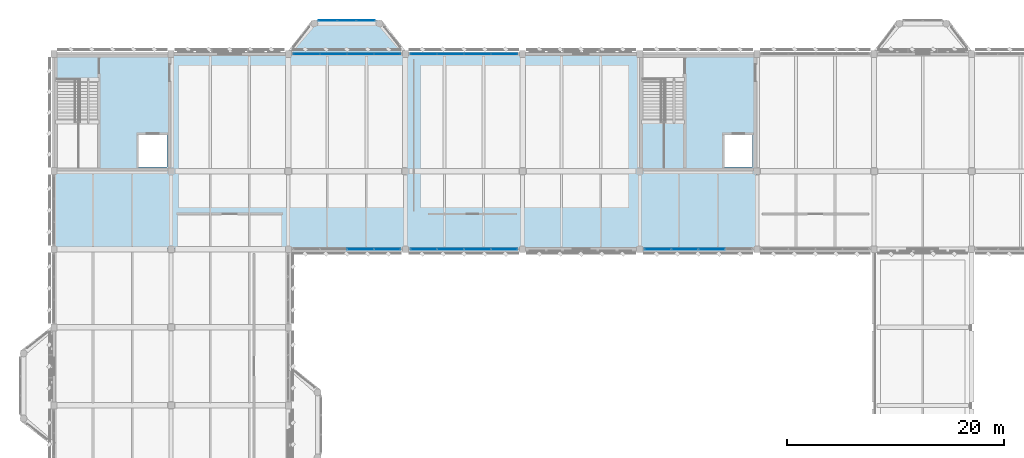
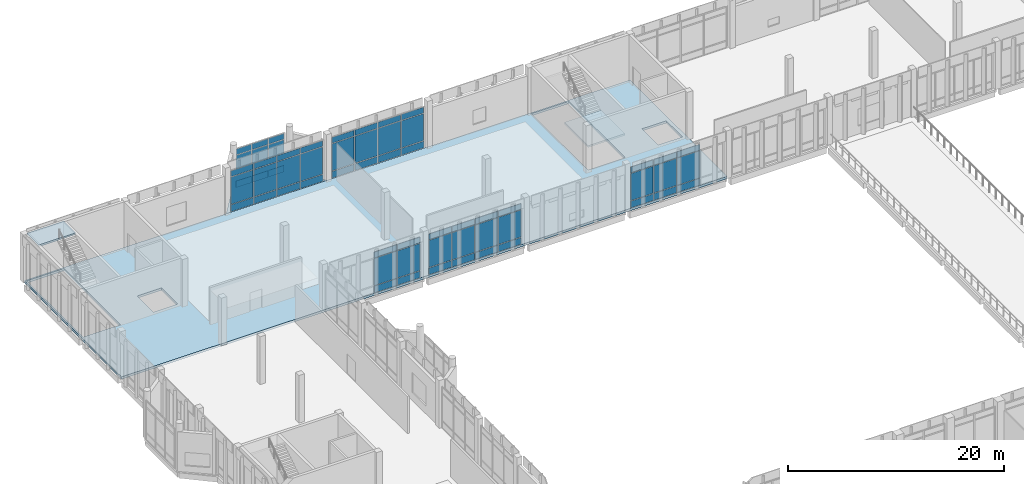
# One storey, part 145 of 180: 60 plates, 4 slabs, 8 elements without a shape of their own.
"""IFC4 building model written with IfcOpenShell, lengths in metres."""

from ifc_helpers import new_model, si_unit, direction, frame, origin, origin_2d, place, context, subcontext, project, spatial, polyline, rectangle, outline, extrude, material, layer, layer_set, type_object, element, aggregate, save


model = new_model("IFC4")

# Units and contexts
model_context = context("Model", 3, precision=1e-05, world=origin(), true_north=direction((0.0, 1.0)))
body_context = subcontext(model_context, "Body", "Model", "MODEL_VIEW")
ifc_project = project(units=[si_unit("LENGTHUNIT", "METRE"), si_unit("AREAUNIT", "SQUARE_METRE"), si_unit("VOLUMEUNIT", "CUBIC_METRE"), si_unit("PLANEANGLEUNIT", "RADIAN"), si_unit("MASSUNIT", "GRAM", prefix="KILO")], contexts=[model_context])

# Site, building, storey
site_placement = place(None, origin())
site = spatial("IfcSite", under=ifc_project, at=site_placement, CompositionType="ELEMENT")
building_placement = place(site_placement, origin())
building = spatial("IfcBuilding", under=site, at=building_placement, Name="Lusvemor Sports Hall", CompositionType="ELEMENT")
storey_placement = place(building_placement, frame((0.0, 0.0, 5.39990234375)))
storey = spatial("IfcBuildingStorey", under=building, at=storey_placement, Name="L01", CompositionType="ELEMENT", Elevation=5.39990234375)

# Curtain wall, plates
ifc_material_1 = material(Name="Thermally broken bronze-anodized aluminium", Category="aluminium")
curtain_wall_type_1 = type_object("IfcCurtainWallType", Name="CW_WING_B", PredefinedType="NOTDEFINED", material=ifc_material_1)
curtain_wall_1_placement = place(storey_placement, origin())
curtain_wall_1 = element("IfcCurtainWall", 1, at=curtain_wall_1_placement, inside=storey, type_object=curtain_wall_type_1, Name="Curtain Wall CW-L01-N-1-2", PredefinedType="NOTDEFINED")
ifc_material_2 = material(Name="Solar-control laminated double glazing", Category="glass")
ifc_layer_1 = layer(ifc_material_2, 0.028076171875)
ifc_layer_set_1 = layer_set([ifc_layer_1], Name="Solar-control laminated double glazing")
plate_type_1 = type_object("IfcPlateType", Name="CW_PAN_GLZ_28", PredefinedType="CURTAIN_PANEL", material=ifc_layer_set_1)
plate_1_placement = place(storey_placement, frame((23.28125, 115.199951171875, 0.880126953125), z_axis=(0.0, 0.0, 1.0), x_axis=(1.0, 0.0, 0.0)))
plate_1 = element("IfcPlate", 2, at=plate_1_placement, type_object=plate_type_1, Name="CW02 panel 1.2", PredefinedType="CURTAIN_PANEL", context=body_context, shape_type="SweptSolid", body=[
    extrude(rectangle(XDim=2.392578125, YDim=0.028076171875, at=origin_2d()), origin(), (0.0, 0.0, 1.0), 3.06005859375),
])
plate_2_placement = place(storey_placement, frame((23.28125, 115.199951171875, 4.0), z_axis=(0.0, 0.0, 1.0), x_axis=(1.0, 0.0, 0.0)))
plate_2 = element("IfcPlate", 3, at=plate_2_placement, type_object=plate_type_1, Name="CW02 panel 1.3", PredefinedType="CURTAIN_PANEL", context=body_context, shape_type="SweptSolid", body=[
    extrude(rectangle(XDim=2.392578125, YDim=0.028076171875, at=origin_2d()), origin(), (0.0, 0.0, 1.0), 0.659912109375),
])
plate_3_placement = place(storey_placement, frame((25.7548828125, 115.199951171875, 0.880126953125), z_axis=(0.0, 0.0, 1.0), x_axis=(1.0, 0.0, 0.0)))
plate_3 = element("IfcPlate", 4, at=plate_3_placement, type_object=plate_type_1, Name="CW02 panel 2.2", PredefinedType="CURTAIN_PANEL", context=body_context, shape_type="SweptSolid", body=[
    extrude(rectangle(XDim=2.425048828125, YDim=0.028076171875, at=origin_2d()), origin(), (0.0, 0.0, 1.0), 3.06005859375),
])
plate_4_placement = place(storey_placement, frame((25.7548828125, 115.199951171875, 4.0), z_axis=(0.0, 0.0, 1.0), x_axis=(1.0, 0.0, 0.0)))
plate_4 = element("IfcPlate", 5, at=plate_4_placement, type_object=plate_type_1, Name="CW02 panel 2.3", PredefinedType="CURTAIN_PANEL", context=body_context, shape_type="SweptSolid", body=[
    extrude(rectangle(XDim=2.425048828125, YDim=0.028076171875, at=origin_2d()), origin(), (0.0, 0.0, 1.0), 0.659912109375),
])
plate_5_placement = place(storey_placement, frame((28.2451171875, 115.199951171875, 0.880126953125), z_axis=(0.0, 0.0, 1.0), x_axis=(1.0, 0.0, 0.0)))
plate_5 = element("IfcPlate", 6, at=plate_5_placement, type_object=plate_type_1, Name="CW02 panel 3.2", PredefinedType="CURTAIN_PANEL", context=body_context, shape_type="SweptSolid", body=[
    extrude(rectangle(XDim=2.425048828125, YDim=0.028076171875, at=origin_2d()), origin(), (0.0, 0.0, 1.0), 3.06005859375),
])
plate_6_placement = place(storey_placement, frame((28.2451171875, 115.199951171875, 4.0), z_axis=(0.0, 0.0, 1.0), x_axis=(1.0, 0.0, 0.0)))
plate_6 = element("IfcPlate", 7, at=plate_6_placement, type_object=plate_type_1, Name="CW02 panel 3.3", PredefinedType="CURTAIN_PANEL", context=body_context, shape_type="SweptSolid", body=[
    extrude(rectangle(XDim=2.425048828125, YDim=0.028076171875, at=origin_2d()), origin(), (0.0, 0.0, 1.0), 0.659912109375),
])
plate_7_placement = place(storey_placement, frame((30.71875, 115.199951171875, 0.880126953125), z_axis=(0.0, 0.0, 1.0), x_axis=(1.0, 0.0, 0.0)))
plate_7 = element("IfcPlate", 8, at=plate_7_placement, type_object=plate_type_1, Name="CW02 panel 4.2", PredefinedType="CURTAIN_PANEL", context=body_context, shape_type="SweptSolid", body=[
    extrude(rectangle(XDim=2.392578125, YDim=0.028076171875, at=origin_2d()), origin(), (0.0, 0.0, 1.0), 3.06005859375),
])
plate_8_placement = place(storey_placement, frame((30.71875, 115.199951171875, 4.0), z_axis=(0.0, 0.0, 1.0), x_axis=(1.0, 0.0, 0.0)))
plate_8 = element("IfcPlate", 9, at=plate_8_placement, type_object=plate_type_1, Name="CW02 panel 4.3", PredefinedType="CURTAIN_PANEL", context=body_context, shape_type="SweptSolid", body=[
    extrude(rectangle(XDim=2.392578125, YDim=0.028076171875, at=origin_2d()), origin(), (0.0, 0.0, 1.0), 0.659912109375),
])

curtain_wall_2_placement = place(storey_placement, origin())
curtain_wall_2 = element("IfcCurtainWall", 10, at=curtain_wall_2_placement, inside=storey, type_object=curtain_wall_type_1, Name="Curtain Wall CW-L01-N-1-3", PredefinedType="NOTDEFINED")
plate_9_placement = place(storey_placement, frame((34.081298828125, 115.199951171875, 0.880126953125), z_axis=(0.0, 0.0, 1.0), x_axis=(1.0, 0.0, 0.0)))
plate_9 = element("IfcPlate", 11, at=plate_9_placement, type_object=plate_type_1, Name="CW02 panel 1.2", PredefinedType="CURTAIN_PANEL", context=body_context, shape_type="SweptSolid", body=[
    extrude(rectangle(XDim=2.392578125, YDim=0.028076171875, at=origin_2d()), origin(), (0.0, 0.0, 1.0), 3.06005859375),
])
plate_10_placement = place(storey_placement, frame((34.081298828125, 115.199951171875, 4.0), z_axis=(0.0, 0.0, 1.0), x_axis=(1.0, 0.0, 0.0)))
plate_10 = element("IfcPlate", 12, at=plate_10_placement, type_object=plate_type_1, Name="CW02 panel 1.3", PredefinedType="CURTAIN_PANEL", context=body_context, shape_type="SweptSolid", body=[
    extrude(rectangle(XDim=2.392578125, YDim=0.028076171875, at=origin_2d()), origin(), (0.0, 0.0, 1.0), 0.659912109375),
])
plate_11_placement = place(storey_placement, frame((36.554931640625, 115.199951171875, 0.880126953125), z_axis=(0.0, 0.0, 1.0), x_axis=(1.0, 0.0, 0.0)))
plate_11 = element("IfcPlate", 13, at=plate_11_placement, type_object=plate_type_1, Name="CW02 panel 2.2", PredefinedType="CURTAIN_PANEL", context=body_context, shape_type="SweptSolid", body=[
    extrude(rectangle(XDim=2.425048828125, YDim=0.028076171875, at=origin_2d()), origin(), (0.0, 0.0, 1.0), 3.06005859375),
])
plate_12_placement = place(storey_placement, frame((36.554931640625, 115.199951171875, 4.0), z_axis=(0.0, 0.0, 1.0), x_axis=(1.0, 0.0, 0.0)))
plate_12 = element("IfcPlate", 14, at=plate_12_placement, type_object=plate_type_1, Name="CW02 panel 2.3", PredefinedType="CURTAIN_PANEL", context=body_context, shape_type="SweptSolid", body=[
    extrude(rectangle(XDim=2.425048828125, YDim=0.028076171875, at=origin_2d()), origin(), (0.0, 0.0, 1.0), 0.659912109375),
])
plate_13_placement = place(storey_placement, frame((39.044921875, 115.199951171875, 0.880126953125), z_axis=(0.0, 0.0, 1.0), x_axis=(1.0, 0.0, 0.0)))
plate_13 = element("IfcPlate", 15, at=plate_13_placement, type_object=plate_type_1, Name="CW02 panel 3.2", PredefinedType="CURTAIN_PANEL", context=body_context, shape_type="SweptSolid", body=[
    extrude(rectangle(XDim=2.425048828125, YDim=0.028076171875, at=origin_2d()), origin(), (0.0, 0.0, 1.0), 3.06005859375),
])
plate_14_placement = place(storey_placement, frame((39.044921875, 115.199951171875, 4.0), z_axis=(0.0, 0.0, 1.0), x_axis=(1.0, 0.0, 0.0)))
plate_14 = element("IfcPlate", 16, at=plate_14_placement, type_object=plate_type_1, Name="CW02 panel 3.3", PredefinedType="CURTAIN_PANEL", context=body_context, shape_type="SweptSolid", body=[
    extrude(rectangle(XDim=2.425048828125, YDim=0.028076171875, at=origin_2d()), origin(), (0.0, 0.0, 1.0), 0.659912109375),
])
plate_15_placement = place(storey_placement, frame((41.518798828125, 115.199951171875, 0.880126953125), z_axis=(0.0, 0.0, 1.0), x_axis=(1.0, 0.0, 0.0)))
plate_15 = element("IfcPlate", 17, at=plate_15_placement, type_object=plate_type_1, Name="CW02 panel 4.2", PredefinedType="CURTAIN_PANEL", context=body_context, shape_type="SweptSolid", body=[
    extrude(rectangle(XDim=2.392578125, YDim=0.028076171875, at=origin_2d()), origin(), (0.0, 0.0, 1.0), 3.06005859375),
])
plate_16_placement = place(storey_placement, frame((41.518798828125, 115.199951171875, 4.0), z_axis=(0.0, 0.0, 1.0), x_axis=(1.0, 0.0, 0.0)))
plate_16 = element("IfcPlate", 18, at=plate_16_placement, type_object=plate_type_1, Name="CW02 panel 4.3", PredefinedType="CURTAIN_PANEL", context=body_context, shape_type="SweptSolid", body=[
    extrude(rectangle(XDim=2.392578125, YDim=0.028076171875, at=origin_2d()), origin(), (0.0, 0.0, 1.0), 0.659912109375),
])

curtain_wall_3_placement = place(storey_placement, origin())
curtain_wall_3 = element("IfcCurtainWall", 19, at=curtain_wall_3_placement, inside=storey, type_object=curtain_wall_type_1, Name="Curtain Wall CW-L01-S-3-0", PredefinedType="NOTDEFINED")
plate_17_placement = place(storey_placement, frame((30.71875, 97.199951171875, 0.880126953125), z_axis=(0.0, 0.0, 1.0), x_axis=(-1.0, 0.0, 0.0)))
plate_17 = element("IfcPlate", 20, at=plate_17_placement, type_object=plate_type_1, Name="CW02 panel 1.2", PredefinedType="CURTAIN_PANEL", context=body_context, shape_type="SweptSolid", body=[
    extrude(rectangle(XDim=2.392578125, YDim=0.028076171875, at=origin_2d()), origin(), (0.0, 0.0, 1.0), 3.06005859375),
])
plate_18_placement = place(storey_placement, frame((30.71875, 97.199951171875, 4.0), z_axis=(0.0, 0.0, 1.0), x_axis=(-1.0, 0.0, 0.0)))
plate_18 = element("IfcPlate", 21, at=plate_18_placement, type_object=plate_type_1, Name="CW02 panel 1.3", PredefinedType="CURTAIN_PANEL", context=body_context, shape_type="SweptSolid", body=[
    extrude(rectangle(XDim=2.392578125, YDim=0.028076171875, at=origin_2d()), origin(), (0.0, 0.0, 1.0), 0.659912109375),
])
plate_19_placement = place(storey_placement, frame((28.2451171875, 97.199951171875, 0.880126953125), z_axis=(0.0, 0.0, 1.0), x_axis=(-1.0, 0.0, 0.0)))
plate_19 = element("IfcPlate", 22, at=plate_19_placement, type_object=plate_type_1, Name="CW02 panel 2.2", PredefinedType="CURTAIN_PANEL", context=body_context, shape_type="SweptSolid", body=[
    extrude(rectangle(XDim=2.425048828125, YDim=0.028076171875, at=origin_2d()), origin(), (0.0, 0.0, 1.0), 3.06005859375),
])
plate_20_placement = place(storey_placement, frame((28.2451171875, 97.199951171875, 4.0), z_axis=(0.0, 0.0, 1.0), x_axis=(-1.0, 0.0, 0.0)))
plate_20 = element("IfcPlate", 23, at=plate_20_placement, type_object=plate_type_1, Name="CW02 panel 2.3", PredefinedType="CURTAIN_PANEL", context=body_context, shape_type="SweptSolid", body=[
    extrude(rectangle(XDim=2.425048828125, YDim=0.028076171875, at=origin_2d()), origin(), (0.0, 0.0, 1.0), 0.659912109375),
])

curtain_wall_4_placement = place(storey_placement, origin())
curtain_wall_4 = element("IfcCurtainWall", 24, at=curtain_wall_4_placement, inside=storey, type_object=curtain_wall_type_1, Name="Curtain Wall CW-L01-S-3-1", PredefinedType="NOTDEFINED")
plate_21_placement = place(storey_placement, frame((41.518798828125, 97.199951171875, 0.880126953125), z_axis=(0.0, 0.0, 1.0), x_axis=(-1.0, 0.0, 0.0)))
plate_21 = element("IfcPlate", 25, at=plate_21_placement, type_object=plate_type_1, Name="CW02 panel 1.2", PredefinedType="CURTAIN_PANEL", context=body_context, shape_type="SweptSolid", body=[
    extrude(rectangle(XDim=2.392578125, YDim=0.028076171875, at=origin_2d()), origin(), (0.0, 0.0, 1.0), 3.06005859375),
])
plate_22_placement = place(storey_placement, frame((41.518798828125, 97.199951171875, 4.0), z_axis=(0.0, 0.0, 1.0), x_axis=(-1.0, 0.0, 0.0)))
plate_22 = element("IfcPlate", 26, at=plate_22_placement, type_object=plate_type_1, Name="CW02 panel 1.3", PredefinedType="CURTAIN_PANEL", context=body_context, shape_type="SweptSolid", body=[
    extrude(rectangle(XDim=2.392578125, YDim=0.028076171875, at=origin_2d()), origin(), (0.0, 0.0, 1.0), 0.659912109375),
])
plate_23_placement = place(storey_placement, frame((39.044921875, 97.199951171875, 0.880126953125), z_axis=(0.0, 0.0, 1.0), x_axis=(-1.0, 0.0, 0.0)))
plate_23 = element("IfcPlate", 27, at=plate_23_placement, type_object=plate_type_1, Name="CW02 panel 2.2", PredefinedType="CURTAIN_PANEL", context=body_context, shape_type="SweptSolid", body=[
    extrude(rectangle(XDim=2.425048828125, YDim=0.028076171875, at=origin_2d()), origin(), (0.0, 0.0, 1.0), 3.06005859375),
])
plate_24_placement = place(storey_placement, frame((39.044921875, 97.199951171875, 4.0), z_axis=(0.0, 0.0, 1.0), x_axis=(-1.0, 0.0, 0.0)))
plate_24 = element("IfcPlate", 28, at=plate_24_placement, type_object=plate_type_1, Name="CW02 panel 2.3", PredefinedType="CURTAIN_PANEL", context=body_context, shape_type="SweptSolid", body=[
    extrude(rectangle(XDim=2.425048828125, YDim=0.028076171875, at=origin_2d()), origin(), (0.0, 0.0, 1.0), 0.659912109375),
])
plate_25_placement = place(storey_placement, frame((36.554931640625, 97.199951171875, 0.880126953125), z_axis=(0.0, 0.0, 1.0), x_axis=(-1.0, 0.0, 0.0)))
plate_25 = element("IfcPlate", 29, at=plate_25_placement, type_object=plate_type_1, Name="CW02 panel 3.2", PredefinedType="CURTAIN_PANEL", context=body_context, shape_type="SweptSolid", body=[
    extrude(rectangle(XDim=2.425048828125, YDim=0.028076171875, at=origin_2d()), origin(), (0.0, 0.0, 1.0), 3.06005859375),
])
plate_26_placement = place(storey_placement, frame((36.554931640625, 97.199951171875, 4.0), z_axis=(0.0, 0.0, 1.0), x_axis=(-1.0, 0.0, 0.0)))
plate_26 = element("IfcPlate", 30, at=plate_26_placement, type_object=plate_type_1, Name="CW02 panel 3.3", PredefinedType="CURTAIN_PANEL", context=body_context, shape_type="SweptSolid", body=[
    extrude(rectangle(XDim=2.425048828125, YDim=0.028076171875, at=origin_2d()), origin(), (0.0, 0.0, 1.0), 0.659912109375),
])
plate_27_placement = place(storey_placement, frame((34.081298828125, 97.199951171875, 0.880126953125), z_axis=(0.0, 0.0, 1.0), x_axis=(-1.0, 0.0, 0.0)))
plate_27 = element("IfcPlate", 31, at=plate_27_placement, type_object=plate_type_1, Name="CW02 panel 4.2", PredefinedType="CURTAIN_PANEL", context=body_context, shape_type="SweptSolid", body=[
    extrude(rectangle(XDim=2.392578125, YDim=0.028076171875, at=origin_2d()), origin(), (0.0, 0.0, 1.0), 3.06005859375),
])
plate_28_placement = place(storey_placement, frame((34.081298828125, 97.199951171875, 4.0), z_axis=(0.0, 0.0, 1.0), x_axis=(-1.0, 0.0, 0.0)))
plate_28 = element("IfcPlate", 32, at=plate_28_placement, type_object=plate_type_1, Name="CW02 panel 4.3", PredefinedType="CURTAIN_PANEL", context=body_context, shape_type="SweptSolid", body=[
    extrude(rectangle(XDim=2.392578125, YDim=0.028076171875, at=origin_2d()), origin(), (0.0, 0.0, 1.0), 0.659912109375),
])

curtain_wall_5_placement = place(storey_placement, origin())
curtain_wall_5 = element("IfcCurtainWall", 33, at=curtain_wall_5_placement, inside=storey, type_object=curtain_wall_type_1, Name="Curtain Wall CW-L01-S-3-3", PredefinedType="NOTDEFINED")
plate_29_placement = place(storey_placement, frame((60.64501953125, 97.199951171875, 0.880126953125), z_axis=(0.0, 0.0, 1.0), x_axis=(-1.0, 0.0, 0.0)))
plate_29 = element("IfcPlate", 34, at=plate_29_placement, type_object=plate_type_1, Name="CW02 panel 2.2", PredefinedType="CURTAIN_PANEL", context=body_context, shape_type="SweptSolid", body=[
    extrude(rectangle(XDim=2.425048828125, YDim=0.028076171875, at=origin_2d()), origin(), (0.0, 0.0, 1.0), 3.06005859375),
])
plate_30_placement = place(storey_placement, frame((60.64501953125, 97.199951171875, 4.0), z_axis=(0.0, 0.0, 1.0), x_axis=(-1.0, 0.0, 0.0)))
plate_30 = element("IfcPlate", 35, at=plate_30_placement, type_object=plate_type_1, Name="CW02 panel 2.3", PredefinedType="CURTAIN_PANEL", context=body_context, shape_type="SweptSolid", body=[
    extrude(rectangle(XDim=2.425048828125, YDim=0.028076171875, at=origin_2d()), origin(), (0.0, 0.0, 1.0), 0.659912109375),
])
plate_31_placement = place(storey_placement, frame((58.155029296875, 97.199951171875, 0.880126953125), z_axis=(0.0, 0.0, 1.0), x_axis=(-1.0, 0.0, 0.0)))
plate_31 = element("IfcPlate", 36, at=plate_31_placement, type_object=plate_type_1, Name="CW02 panel 3.2", PredefinedType="CURTAIN_PANEL", context=body_context, shape_type="SweptSolid", body=[
    extrude(rectangle(XDim=2.425048828125, YDim=0.028076171875, at=origin_2d()), origin(), (0.0, 0.0, 1.0), 3.06005859375),
])
plate_32_placement = place(storey_placement, frame((58.155029296875, 97.199951171875, 4.0), z_axis=(0.0, 0.0, 1.0), x_axis=(-1.0, 0.0, 0.0)))
plate_32 = element("IfcPlate", 37, at=plate_32_placement, type_object=plate_type_1, Name="CW02 panel 3.3", PredefinedType="CURTAIN_PANEL", context=body_context, shape_type="SweptSolid", body=[
    extrude(rectangle(XDim=2.425048828125, YDim=0.028076171875, at=origin_2d()), origin(), (0.0, 0.0, 1.0), 0.659912109375),
])
plate_33_placement = place(storey_placement, frame((55.68115234375, 97.199951171875, 0.880126953125), z_axis=(0.0, 0.0, 1.0), x_axis=(-1.0, 0.0, 0.0)))
plate_33 = element("IfcPlate", 38, at=plate_33_placement, type_object=plate_type_1, Name="CW02 panel 4.2", PredefinedType="CURTAIN_PANEL", context=body_context, shape_type="SweptSolid", body=[
    extrude(rectangle(XDim=2.392578125, YDim=0.028076171875, at=origin_2d()), origin(), (0.0, 0.0, 1.0), 3.06005859375),
])
plate_34_placement = place(storey_placement, frame((55.68115234375, 97.199951171875, 4.0), z_axis=(0.0, 0.0, 1.0), x_axis=(-1.0, 0.0, 0.0)))
plate_34 = element("IfcPlate", 39, at=plate_34_placement, type_object=plate_type_1, Name="CW02 panel 4.3", PredefinedType="CURTAIN_PANEL", context=body_context, shape_type="SweptSolid", body=[
    extrude(rectangle(XDim=2.392578125, YDim=0.028076171875, at=origin_2d()), origin(), (0.0, 0.0, 1.0), 0.659912109375),
])

ifc_material_3 = material(Name="Thermally broken bronze-anodized aluminium", Category="aluminium")
curtain_wall_type_2 = type_object("IfcCurtainWallType", Name="CW_FOYER_A", PredefinedType="NOTDEFINED", material=ifc_material_3)
curtain_wall_6_placement = place(storey_placement, origin())
curtain_wall_6 = element("IfcCurtainWall", 40, at=curtain_wall_6_placement, inside=storey, type_object=curtain_wall_type_2, Name="Curtain Wall CW-BOW-N1-L01-M", PredefinedType="NOTDEFINED")
plate_35_placement = place(storey_placement, frame((25.250732421875, 118.300048828125, 0.882568359375), z_axis=(0.0, 0.0, 1.0), x_axis=(1.0, 0.0, 0.0)))
plate_35 = element("IfcPlate", 41, at=plate_35_placement, type_object=plate_type_1, Name="CW01 panel 1.2", PredefinedType="CURTAIN_PANEL", context=body_context, shape_type="SweptSolid", body=[
    extrude(rectangle(XDim=1.66162109375, YDim=0.028076171875, at=origin_2d()), origin(), (0.0, 0.0, 1.0), 2.81494140625),
])
plate_36_placement = place(storey_placement, frame((25.250732421875, 118.300048828125, 3.7626953125), z_axis=(0.0, 0.0, 1.0), x_axis=(1.0, 0.0, 0.0)))
plate_36 = element("IfcPlate", 42, at=plate_36_placement, type_object=plate_type_1, Name="CW01 panel 1.3", PredefinedType="CURTAIN_PANEL", context=body_context, shape_type="SweptSolid", body=[
    extrude(rectangle(XDim=1.66162109375, YDim=0.028076171875, at=origin_2d()), origin(), (0.0, 0.0, 1.0), 0.652587890625),
])
plate_37_placement = place(storey_placement, frame((27.0, 118.300048828125, 0.882568359375), z_axis=(0.0, 0.0, 1.0), x_axis=(1.0, 0.0, 0.0)))
plate_37 = element("IfcPlate", 43, at=plate_37_placement, type_object=plate_type_1, Name="CW01 panel 2.2", PredefinedType="CURTAIN_PANEL", context=body_context, shape_type="SweptSolid", body=[
    extrude(rectangle(XDim=1.69677734375, YDim=0.028076171875, at=origin_2d()), origin(), (0.0, 0.0, 1.0), 2.81494140625),
])
plate_38_placement = place(storey_placement, frame((27.0, 118.300048828125, 3.7626953125), z_axis=(0.0, 0.0, 1.0), x_axis=(1.0, 0.0, 0.0)))
plate_38 = element("IfcPlate", 44, at=plate_38_placement, type_object=plate_type_1, Name="CW01 panel 2.3", PredefinedType="CURTAIN_PANEL", context=body_context, shape_type="SweptSolid", body=[
    extrude(rectangle(XDim=1.69677734375, YDim=0.028076171875, at=origin_2d()), origin(), (0.0, 0.0, 1.0), 0.652587890625),
])
plate_39_placement = place(storey_placement, frame((28.749267578125, 118.300048828125, 0.882568359375), z_axis=(0.0, 0.0, 1.0), x_axis=(1.0, 0.0, 0.0)))
plate_39 = element("IfcPlate", 45, at=plate_39_placement, type_object=plate_type_1, Name="CW01 panel 3.2", PredefinedType="CURTAIN_PANEL", context=body_context, shape_type="SweptSolid", body=[
    extrude(rectangle(XDim=1.66162109375, YDim=0.028076171875, at=origin_2d()), origin(), (0.0, 0.0, 1.0), 2.81494140625),
])
plate_40_placement = place(storey_placement, frame((28.749267578125, 118.300048828125, 3.7626953125), z_axis=(0.0, 0.0, 1.0), x_axis=(1.0, 0.0, 0.0)))
plate_40 = element("IfcPlate", 46, at=plate_40_placement, type_object=plate_type_1, Name="CW01 panel 3.3", PredefinedType="CURTAIN_PANEL", context=body_context, shape_type="SweptSolid", body=[
    extrude(rectangle(XDim=1.66162109375, YDim=0.028076171875, at=origin_2d()), origin(), (0.0, 0.0, 1.0), 0.652587890625),
])

# Plate
ifc_material_4 = material(Name="Emerald polychrome glazed ceramic cladding on Concrete C40/50 backing", Category="concrete")
ifc_layer_2 = layer(ifc_material_4, 0.048095703125)
ifc_layer_set_2 = layer_set([ifc_layer_2], Name="Emerald polychrome glazed ceramic cladding on Concrete C40/50 backing")
plate_type_2 = type_object("IfcPlateType", Name="CW_PAN_SPN_48", PredefinedType="CURTAIN_PANEL", material=ifc_layer_set_2)
plate_41_placement = place(storey_placement, frame((23.28125, 115.199951171875, 0.06005859375), z_axis=(0.0, 0.0, 1.0), x_axis=(1.0, 0.0, 0.0)))
plate_41 = element("IfcPlate", 47, at=plate_41_placement, type_object=plate_type_2, Name="CW02 panel 1.1", PredefinedType="CURTAIN_PANEL", context=body_context, shape_type="SweptSolid", body=[
    extrude(rectangle(XDim=2.392578125, YDim=0.048095703125, at=origin_2d()), origin(), (0.0, 0.0, 1.0), 0.760009765625),
])

plate_42_placement = place(storey_placement, frame((25.7548828125, 115.199951171875, 0.06005859375), z_axis=(0.0, 0.0, 1.0), x_axis=(1.0, 0.0, 0.0)))
plate_42 = element("IfcPlate", 48, at=plate_42_placement, type_object=plate_type_2, Name="CW02 panel 2.1", PredefinedType="CURTAIN_PANEL", context=body_context, shape_type="SweptSolid", body=[
    extrude(rectangle(XDim=2.425048828125, YDim=0.048095703125, at=origin_2d()), origin(), (0.0, 0.0, 1.0), 0.760009765625),
])

plate_43_placement = place(storey_placement, frame((28.2451171875, 115.199951171875, 0.06005859375), z_axis=(0.0, 0.0, 1.0), x_axis=(1.0, 0.0, 0.0)))
plate_43 = element("IfcPlate", 49, at=plate_43_placement, type_object=plate_type_2, Name="CW02 panel 3.1", PredefinedType="CURTAIN_PANEL", context=body_context, shape_type="SweptSolid", body=[
    extrude(rectangle(XDim=2.425048828125, YDim=0.048095703125, at=origin_2d()), origin(), (0.0, 0.0, 1.0), 0.760009765625),
])

plate_44_placement = place(storey_placement, frame((30.71875, 115.199951171875, 0.06005859375), z_axis=(0.0, 0.0, 1.0), x_axis=(1.0, 0.0, 0.0)))
plate_44 = element("IfcPlate", 50, at=plate_44_placement, type_object=plate_type_2, Name="CW02 panel 4.1", PredefinedType="CURTAIN_PANEL", context=body_context, shape_type="SweptSolid", body=[
    extrude(rectangle(XDim=2.392578125, YDim=0.048095703125, at=origin_2d()), origin(), (0.0, 0.0, 1.0), 0.760009765625),
])

aggregate(curtain_wall_1, [plate_41, plate_1, plate_2, plate_42, plate_3, plate_4, plate_43, plate_5, plate_6, plate_44, plate_7, plate_8])

plate_45_placement = place(storey_placement, frame((34.081298828125, 115.199951171875, 0.06005859375), z_axis=(0.0, 0.0, 1.0), x_axis=(1.0, 0.0, 0.0)))
plate_45 = element("IfcPlate", 51, at=plate_45_placement, type_object=plate_type_2, Name="CW02 panel 1.1", PredefinedType="CURTAIN_PANEL", context=body_context, shape_type="SweptSolid", body=[
    extrude(rectangle(XDim=2.392578125, YDim=0.048095703125, at=origin_2d()), origin(), (0.0, 0.0, 1.0), 0.760009765625),
])

plate_46_placement = place(storey_placement, frame((36.554931640625, 115.199951171875, 0.06005859375), z_axis=(0.0, 0.0, 1.0), x_axis=(1.0, 0.0, 0.0)))
plate_46 = element("IfcPlate", 52, at=plate_46_placement, type_object=plate_type_2, Name="CW02 panel 2.1", PredefinedType="CURTAIN_PANEL", context=body_context, shape_type="SweptSolid", body=[
    extrude(rectangle(XDim=2.425048828125, YDim=0.048095703125, at=origin_2d()), origin(), (0.0, 0.0, 1.0), 0.760009765625),
])

plate_47_placement = place(storey_placement, frame((39.044921875, 115.199951171875, 0.06005859375), z_axis=(0.0, 0.0, 1.0), x_axis=(1.0, 0.0, 0.0)))
plate_47 = element("IfcPlate", 53, at=plate_47_placement, type_object=plate_type_2, Name="CW02 panel 3.1", PredefinedType="CURTAIN_PANEL", context=body_context, shape_type="SweptSolid", body=[
    extrude(rectangle(XDim=2.425048828125, YDim=0.048095703125, at=origin_2d()), origin(), (0.0, 0.0, 1.0), 0.760009765625),
])

plate_48_placement = place(storey_placement, frame((41.518798828125, 115.199951171875, 0.06005859375), z_axis=(0.0, 0.0, 1.0), x_axis=(1.0, 0.0, 0.0)))
plate_48 = element("IfcPlate", 54, at=plate_48_placement, type_object=plate_type_2, Name="CW02 panel 4.1", PredefinedType="CURTAIN_PANEL", context=body_context, shape_type="SweptSolid", body=[
    extrude(rectangle(XDim=2.392578125, YDim=0.048095703125, at=origin_2d()), origin(), (0.0, 0.0, 1.0), 0.760009765625),
])

aggregate(curtain_wall_2, [plate_45, plate_9, plate_10, plate_46, plate_11, plate_12, plate_47, plate_13, plate_14, plate_48, plate_15, plate_16])

plate_49_placement = place(storey_placement, frame((30.71875, 97.199951171875, 0.06005859375), z_axis=(0.0, 0.0, 1.0), x_axis=(-1.0, 0.0, 0.0)))
plate_49 = element("IfcPlate", 55, at=plate_49_placement, type_object=plate_type_2, Name="CW02 panel 1.1", PredefinedType="CURTAIN_PANEL", context=body_context, shape_type="SweptSolid", body=[
    extrude(rectangle(XDim=2.392578125, YDim=0.048095703125, at=origin_2d()), origin(), (0.0, 0.0, 1.0), 0.760009765625),
])

plate_50_placement = place(storey_placement, frame((28.2451171875, 97.199951171875, 0.06005859375), z_axis=(0.0, 0.0, 1.0), x_axis=(-1.0, 0.0, 0.0)))
plate_50 = element("IfcPlate", 56, at=plate_50_placement, type_object=plate_type_2, Name="CW02 panel 2.1", PredefinedType="CURTAIN_PANEL", context=body_context, shape_type="SweptSolid", body=[
    extrude(rectangle(XDim=2.425048828125, YDim=0.048095703125, at=origin_2d()), origin(), (0.0, 0.0, 1.0), 0.760009765625),
])

aggregate(curtain_wall_3, [plate_49, plate_17, plate_18, plate_50, plate_19, plate_20])

plate_51_placement = place(storey_placement, frame((41.518798828125, 97.199951171875, 0.06005859375), z_axis=(0.0, 0.0, 1.0), x_axis=(-1.0, 0.0, 0.0)))
plate_51 = element("IfcPlate", 57, at=plate_51_placement, type_object=plate_type_2, Name="CW02 panel 1.1", PredefinedType="CURTAIN_PANEL", context=body_context, shape_type="SweptSolid", body=[
    extrude(rectangle(XDim=2.392578125, YDim=0.048095703125, at=origin_2d()), origin(), (0.0, 0.0, 1.0), 0.760009765625),
])

plate_52_placement = place(storey_placement, frame((39.044921875, 97.199951171875, 0.06005859375), z_axis=(0.0, 0.0, 1.0), x_axis=(-1.0, 0.0, 0.0)))
plate_52 = element("IfcPlate", 58, at=plate_52_placement, type_object=plate_type_2, Name="CW02 panel 2.1", PredefinedType="CURTAIN_PANEL", context=body_context, shape_type="SweptSolid", body=[
    extrude(rectangle(XDim=2.425048828125, YDim=0.048095703125, at=origin_2d()), origin(), (0.0, 0.0, 1.0), 0.760009765625),
])

plate_53_placement = place(storey_placement, frame((36.554931640625, 97.199951171875, 0.06005859375), z_axis=(0.0, 0.0, 1.0), x_axis=(-1.0, 0.0, 0.0)))
plate_53 = element("IfcPlate", 59, at=plate_53_placement, type_object=plate_type_2, Name="CW02 panel 3.1", PredefinedType="CURTAIN_PANEL", context=body_context, shape_type="SweptSolid", body=[
    extrude(rectangle(XDim=2.425048828125, YDim=0.048095703125, at=origin_2d()), origin(), (0.0, 0.0, 1.0), 0.760009765625),
])

plate_54_placement = place(storey_placement, frame((34.081298828125, 97.199951171875, 0.06005859375), z_axis=(0.0, 0.0, 1.0), x_axis=(-1.0, 0.0, 0.0)))
plate_54 = element("IfcPlate", 60, at=plate_54_placement, type_object=plate_type_2, Name="CW02 panel 4.1", PredefinedType="CURTAIN_PANEL", context=body_context, shape_type="SweptSolid", body=[
    extrude(rectangle(XDim=2.392578125, YDim=0.048095703125, at=origin_2d()), origin(), (0.0, 0.0, 1.0), 0.760009765625),
])

aggregate(curtain_wall_4, [plate_51, plate_21, plate_22, plate_52, plate_23, plate_24, plate_53, plate_25, plate_26, plate_54, plate_27, plate_28])

plate_55_placement = place(storey_placement, frame((60.64501953125, 97.199951171875, 0.06005859375), z_axis=(0.0, 0.0, 1.0), x_axis=(-1.0, 0.0, 0.0)))
plate_55 = element("IfcPlate", 61, at=plate_55_placement, type_object=plate_type_2, Name="CW02 panel 2.1", PredefinedType="CURTAIN_PANEL", context=body_context, shape_type="SweptSolid", body=[
    extrude(rectangle(XDim=2.425048828125, YDim=0.048095703125, at=origin_2d()), origin(), (0.0, 0.0, 1.0), 0.760009765625),
])

plate_56_placement = place(storey_placement, frame((58.155029296875, 97.199951171875, 0.06005859375), z_axis=(0.0, 0.0, 1.0), x_axis=(-1.0, 0.0, 0.0)))
plate_56 = element("IfcPlate", 62, at=plate_56_placement, type_object=plate_type_2, Name="CW02 panel 3.1", PredefinedType="CURTAIN_PANEL", context=body_context, shape_type="SweptSolid", body=[
    extrude(rectangle(XDim=2.425048828125, YDim=0.048095703125, at=origin_2d()), origin(), (0.0, 0.0, 1.0), 0.760009765625),
])

plate_57_placement = place(storey_placement, frame((55.68115234375, 97.199951171875, 0.06005859375), z_axis=(0.0, 0.0, 1.0), x_axis=(-1.0, 0.0, 0.0)))
plate_57 = element("IfcPlate", 63, at=plate_57_placement, type_object=plate_type_2, Name="CW02 panel 4.1", PredefinedType="CURTAIN_PANEL", context=body_context, shape_type="SweptSolid", body=[
    extrude(rectangle(XDim=2.392578125, YDim=0.048095703125, at=origin_2d()), origin(), (0.0, 0.0, 1.0), 0.760009765625),
])

aggregate(curtain_wall_5, [plate_55, plate_29, plate_30, plate_56, plate_31, plate_32, plate_57, plate_33, plate_34])

plate_58_placement = place(storey_placement, frame((25.250732421875, 118.300048828125, 0.065185546875), z_axis=(0.0, 0.0, 1.0), x_axis=(1.0, 0.0, 0.0)))
plate_58 = element("IfcPlate", 64, at=plate_58_placement, type_object=plate_type_2, Name="CW01 panel 1.1", PredefinedType="CURTAIN_PANEL", context=body_context, shape_type="SweptSolid", body=[
    extrude(rectangle(XDim=1.66162109375, YDim=0.048095703125, at=origin_2d()), origin(), (0.0, 0.0, 1.0), 0.75244140625),
])

plate_59_placement = place(storey_placement, frame((27.0, 118.300048828125, 0.065185546875), z_axis=(0.0, 0.0, 1.0), x_axis=(1.0, 0.0, 0.0)))
plate_59 = element("IfcPlate", 65, at=plate_59_placement, type_object=plate_type_2, Name="CW01 panel 2.1", PredefinedType="CURTAIN_PANEL", context=body_context, shape_type="SweptSolid", body=[
    extrude(rectangle(XDim=1.69677734375, YDim=0.048095703125, at=origin_2d()), origin(), (0.0, 0.0, 1.0), 0.75244140625),
])

plate_60_placement = place(storey_placement, frame((28.749267578125, 118.300048828125, 0.065185546875), z_axis=(0.0, 0.0, 1.0), x_axis=(1.0, 0.0, 0.0)))
plate_60 = element("IfcPlate", 66, at=plate_60_placement, type_object=plate_type_2, Name="CW01 panel 3.1", PredefinedType="CURTAIN_PANEL", context=body_context, shape_type="SweptSolid", body=[
    extrude(rectangle(XDim=1.66162109375, YDim=0.048095703125, at=origin_2d()), origin(), (0.0, 0.0, 1.0), 0.75244140625),
])

aggregate(curtain_wall_6, [plate_58, plate_35, plate_36, plate_59, plate_37, plate_38, plate_60, plate_39, plate_40])

# Slabs
ifc_material_5 = material(Name="Concrete C40/50", Category="concrete")
ifc_layer_3 = layer(ifc_material_5, 0.260009765625)
ifc_layer_set_3 = layer_set([ifc_layer_3], Name="Concrete C40/50")
slab_type_1 = type_object("IfcSlabType", Name="SLAB_INT_260", PredefinedType="FLOOR", material=ifc_layer_set_3)
slab_1_placement = place(storey_placement, frame((0.0, 0.0, -0.260009765625)))
element("IfcSlab", 67, at=slab_1_placement, inside=storey, type_object=slab_type_1, Name="Slab L01 V5-NW", PredefinedType="FLOOR", context=body_context, shape_type="SweptSolid", body=[
    extrude(outline(polyline([(0.0, 97.199951171875), (64.800048828125, 97.199951171875), (64.800048828125, 115.199951171875), (0.0, 115.199951171875), (0.0, 97.199951171875)]), holes=[polyline([(0.159912109375, 104.56005859375), (4.139892578125, 104.56005859375), (4.139892578125, 115.0400390625), (0.159912109375, 115.0400390625), (0.159912109375, 104.56005859375)]), polyline([(7.800048828125, 104.800048828125), (10.39990234375, 104.800048828125), (10.39990234375, 107.800048828125), (7.800048828125, 107.800048828125), (7.800048828125, 104.800048828125)]), polyline([(54.159912109375, 104.56005859375), (58.139892578125, 104.56005859375), (58.139892578125, 115.0400390625), (54.159912109375, 115.0400390625), (54.159912109375, 104.56005859375)]), polyline([(61.800048828125, 104.800048828125), (64.39990234375, 104.800048828125), (64.39990234375, 107.800048828125), (61.800048828125, 107.800048828125), (61.800048828125, 104.800048828125)])]), origin(), (0.0, 0.0, 1.0), 0.260009765625),
])
slab_2_placement = place(storey_placement, frame((0.0, 0.0, -0.260009765625)))
element("IfcSlab", 68, at=slab_2_placement, inside=storey, type_object=slab_type_1, Name="Bow Pavilion Slab BOW-N1 (L01)", PredefinedType="FLOOR", context=body_context, shape_type="SweptSolid", body=[
    extrude(outline(polyline([(21.60009765625, 115.199951171875), (24.0, 118.300048828125), (30.0, 118.300048828125), (32.39990234375, 115.199951171875), (21.60009765625, 115.199951171875)])), origin(), (0.0, 0.0, 1.0), 0.260009765625),
])

# Stair, slab
ifc_material_6 = material(Name="Concrete C40/50", Category="concrete")
stair_type = type_object("IfcStairType", Name="STAIR_CORE_540", PredefinedType="HALF_TURN_STAIR", material=ifc_material_6)
stair_1_placement = place(storey_placement, origin())
stair_1 = element("IfcStair", 69, at=stair_1_placement, inside=storey, type_object=stair_type, Name="Escape Stair C1 (L01)", PredefinedType="HALF_TURN_STAIR")
ifc_material_7 = material(Name="Concrete C40/50", Category="concrete")
ifc_layer_4 = layer(ifc_material_7, 0.199951171875)
ifc_layer_set_4 = layer_set([ifc_layer_4], Name="Concrete C40/50")
slab_type_2 = type_object("IfcSlabType", Name="SLAB_LAND_200", PredefinedType="LANDING", material=ifc_layer_set_4)
slab_3_placement = place(storey_placement, frame((0.0, 0.0, 5.2001953125)))
slab_3 = element("IfcSlab", 70, at=slab_3_placement, type_object=slab_type_2, Name="ST01 landing 2", PredefinedType="LANDING", context=body_context, shape_type="SweptSolid", body=[
    extrude(outline(polyline([(0.179931640625, 112.81005859375), (4.1201171875, 112.81005859375), (4.1201171875, 115.02001953125), (0.179931640625, 115.02001953125), (0.179931640625, 112.81005859375)])), origin(), (0.0, 0.0, 1.0), 0.199951171875),
])
aggregate(stair_1, [slab_3])

stair_2_placement = place(storey_placement, origin())
stair_2 = element("IfcStair", 71, at=stair_2_placement, inside=storey, type_object=stair_type, Name="Escape Stair C2 (L01)", PredefinedType="HALF_TURN_STAIR")
slab_4_placement = place(storey_placement, frame((0.0, 0.0, 2.5)))
slab_4 = element("IfcSlab", 72, at=slab_4_placement, type_object=slab_type_2, Name="ST01 landing 1", PredefinedType="LANDING", context=body_context, shape_type="SweptSolid", body=[
    extrude(outline(polyline([(54.179931640625, 104.580078125), (58.1201171875, 104.580078125), (58.1201171875, 108.969970703125), (54.179931640625, 108.969970703125), (54.179931640625, 104.580078125)])), origin(), (0.0, 0.0, 1.0), 0.2001953125),
])
aggregate(stair_2, [slab_4])

save(model, "model.ifc")
